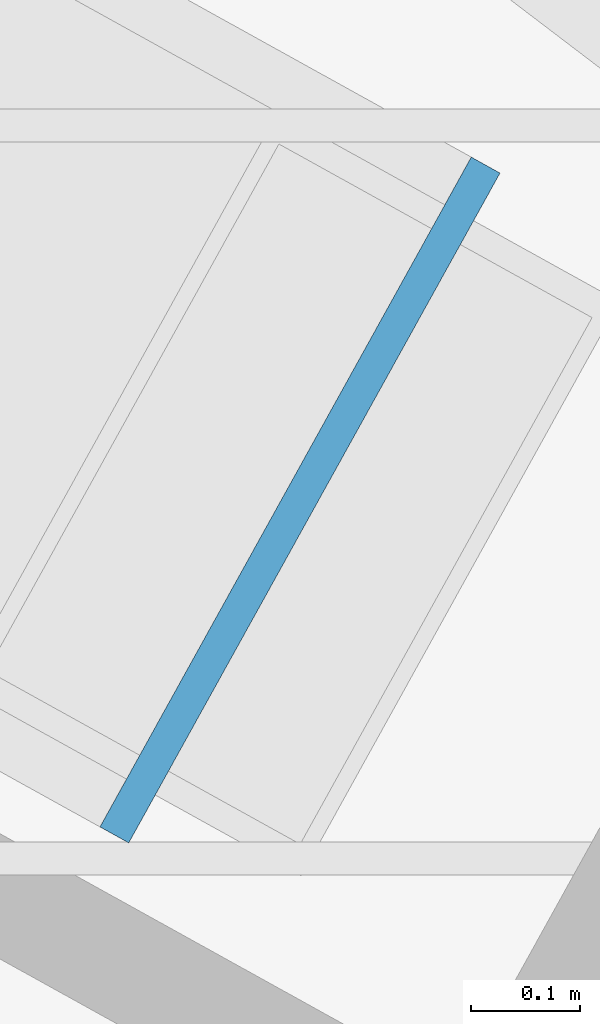
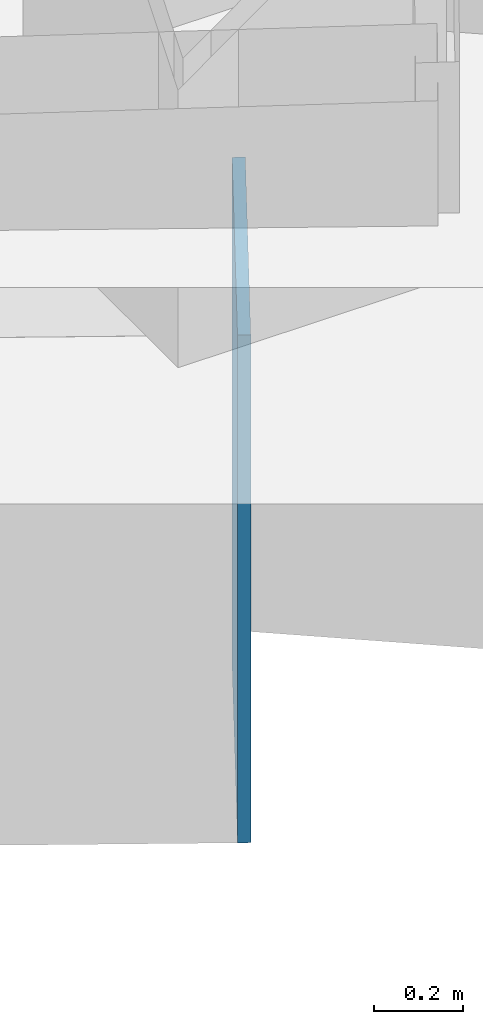
# One storey, part 15 of 26: 1 discrete accessory.
"""IFC4 building model written with IfcOpenShell, lengths in metres."""

import ifcopenshell
import ifcopenshell.guid

model = None  # the IFC model being written
_history = None  # IfcOwnerHistory: only IFC2X3 demands one
_inside = {}  # id of a spatial element -> (the spatial element, [elements in it])
_under = {}  # id of a project, library or spatial element -> (it, [spatial elements below it])
_declared = {}  # id of a project -> (the project, [libraries it declares])
_typed = {}  # id of a type object -> (the type object, [elements of that type])
_made_of = {}  # id of a material, layer set ... -> (it, [elements and type objects made of it])


def new_model(schema):
    """Start an empty IFC model of exactly this schema.

    Asked for "IFC4X3", IfcOpenShell would pick the latest addendum, in which some entities
    have other attributes; the version numbers below select the first issue.
    IFC2X3 requires an IfcOwnerHistory on every rooted entity: one is made here for all.
    """
    global model, _history
    if schema == "IFC4X3":
        model = ifcopenshell.file(schema_version=(4, 3, 0, 0))
    else:
        model = ifcopenshell.file(schema=schema)
    _inside.clear()
    _under.clear()
    _declared.clear()
    _typed.clear()
    _made_of.clear()
    _history = None
    if model.schema == "IFC2X3":
        org = make("IfcOrganization", Name="unknown")
        user = make(
            "IfcPersonAndOrganization",
            ThePerson=make("IfcPerson", FamilyName="unknown"),
            TheOrganization=org,
        )
        app = make(
            "IfcApplication",
            ApplicationDeveloper=org,
            Version="unknown",
            ApplicationFullName="unknown",
            ApplicationIdentifier="unknown",
        )
        _history = make(
            "IfcOwnerHistory",
            OwningUser=user,
            OwningApplication=app,
            ChangeAction="ADDED",
            CreationDate=0,
        )
    return model


def make(cls, **values):
    """One entity of the class cls with the attributes given. An attribute that is None is left unset."""
    return model.create_entity(
        cls, **{name: value for name, value in values.items() if value is not None}
    )


def rooted(cls, **values):
    """An entity with a GlobalId (a new one), such as an element, a storey or a relation."""
    return make(cls, GlobalId=ifcopenshell.guid.new(), OwnerHistory=_history, **values)


def si_unit(unit_type, name, prefix=None):
    """IfcSIUnit, for example si_unit("LENGTHUNIT", "METRE", prefix="MILLI")."""
    return make("IfcSIUnit", UnitType=unit_type, Prefix=prefix, Name=name)


def assignment(units):
    """IfcUnitAssignment: the units of a project."""
    return None if units is None else make("IfcUnitAssignment", Units=units)


def point(xyz):
    """IfcCartesianPoint."""
    return None if xyz is None else make("IfcCartesianPoint", Coordinates=xyz)


def direction(xyz):
    """IfcDirection."""
    return None if xyz is None else make("IfcDirection", DirectionRatios=xyz)


def frame(location, z_axis=None, x_axis=None):
    """IfcAxis2Placement3D, a coordinate frame: its origin and axes. An axis left out is left unset."""
    return make(
        "IfcAxis2Placement3D",
        Location=point(location),
        Axis=direction(z_axis),
        RefDirection=direction(x_axis),
    )


def frame_2d(location, x_axis=None):
    """IfcAxis2Placement2D, a coordinate frame in the plane: its origin and x axis."""
    return make(
        "IfcAxis2Placement2D", Location=point(location), RefDirection=direction(x_axis)
    )


def origin():
    """The frame at (0, 0, 0) with its axes left unset."""
    return frame((0.0, 0.0, 0.0))


def origin_2d():
    """The frame at (0, 0) in the plane with its x axis left unset."""
    return frame_2d((0.0, 0.0))


def place(relative_to, where):
    """IfcLocalPlacement: puts the frame where relative to a parent placement (None: the world)."""
    return make(
        "IfcLocalPlacement", PlacementRelTo=relative_to, RelativePlacement=where
    )


def context(
    kind, dimensions, precision=None, world=None, true_north=None, identifier=None
):
    """IfcGeometricRepresentationContext, for example the 3D "Model" context."""
    return make(
        "IfcGeometricRepresentationContext",
        ContextIdentifier=identifier,
        ContextType=kind,
        CoordinateSpaceDimension=dimensions,
        Precision=precision,
        WorldCoordinateSystem=world,
        TrueNorth=true_north,
    )


def subcontext(parent, identifier, kind, view, scale=None):
    """IfcGeometricRepresentationSubContext, for example "Body" below "Model"."""
    return make(
        "IfcGeometricRepresentationSubContext",
        ContextIdentifier=identifier,
        ContextType=kind,
        ParentContext=parent,
        TargetScale=scale,
        TargetView=view,
    )


def project(units=None, contexts=None):
    """IfcProject with its units and contexts."""
    return rooted(
        "IfcProject",
        Name="project",
        RepresentationContexts=contexts,
        UnitsInContext=assignment(units),
    )


def spatial(cls, under=None, at=None, **own):
    """A site, building, storey or space (cls), placed at a placement, below another one or the project."""
    s = rooted(cls, ObjectPlacement=at, **own)
    if under is not None:
        _under.setdefault(under.id(), (under, []))[1].append(s)
    return s


def profile(cls, at=None, kind="AREA", **sizes):
    """A parametric profile (cls). Its sizes go by their IFC names, for example OverallWidth=200.0."""
    return make(cls, ProfileType=kind, Position=at, **sizes)


def rectangle(**sizes):
    """IfcRectangleProfileDef."""
    return profile("IfcRectangleProfileDef", **sizes)


def extrude(swept, where, along, depth):
    """IfcExtrudedAreaSolid: the profile swept, set in the frame where, extruded along a direction by depth."""
    return make(
        "IfcExtrudedAreaSolid",
        SweptArea=swept,
        Position=where,
        ExtrudedDirection=direction(along),
        Depth=depth,
    )


def shape(context_of_items, identifier, shape_type, items):
    """IfcShapeRepresentation: the items that make up one representation, for example the "Body"."""
    return make(
        "IfcShapeRepresentation",
        ContextOfItems=context_of_items,
        RepresentationIdentifier=identifier,
        RepresentationType=shape_type,
        Items=items,
    )


def material(Name=None, Category=None):
    """IfcMaterial."""
    return make("IfcMaterial", Name=Name, Category=Category)


def made_of(thing, what):
    """Note that an element or type object is made of a material, layer set ...; save() writes the relation."""
    if what is not None:
        _made_of.setdefault(what.id(), (what, []))[1].append(thing)
    return thing


def type_object(cls, material=None, **own):
    """A type object (cls), such as IfcWallType, which elements share."""
    return made_of(rooted(cls, **own), material)


def element(
    cls,
    number,
    at=None,
    inside=None,
    cuts=None,
    type_object=None,
    material=None,
    context=None,
    identifier="Body",
    shape_type=None,
    held_by="IfcProductDefinitionShape",
    body=None,
    shapes=None,
    **own,
):
    """One element of the class cls, such as IfcWall. Its Tag is "e" and its number.

    at: its placement. inside: the storey or other place that contains it. cuts: it is an
    opening in that element (IfcRelVoidsElement). A single representation is given by context,
    identifier, shape_type and body (its items); several are given by shapes. held_by: the class
    of the entity that holds the representations. save() writes the other relations.
    """
    e = rooted(cls, Tag="e%d" % number, ObjectPlacement=at, **own)
    if body is not None:
        shapes = [shape(context, identifier, shape_type, body)]
    if shapes is not None:
        e.Representation = make(held_by, Representations=shapes)
    if inside is not None:
        _inside.setdefault(inside.id(), (inside, []))[1].append(e)
    if cuts is not None:
        rooted(
            "IfcRelVoidsElement", RelatingBuildingElement=cuts, RelatedOpeningElement=e
        )
    if type_object is not None:
        _typed.setdefault(type_object.id(), (type_object, []))[1].append(e)
    return made_of(e, material)


def aggregate(whole, parts):
    """IfcRelAggregates: a whole, such as a stair, and the parts it consists of."""
    return rooted("IfcRelAggregates", RelatingObject=whole, RelatedObjects=parts)


def save(model, path):
    """Write the relations noted so far, then the file.

    IfcRelAggregates (storeys below a building ...), IfcRelContainedInSpatialStructure (elements
    in a storey), IfcRelDefinesByType, IfcRelAssociatesMaterial and IfcRelDeclares: one each for
    every whole, place, type object, material and project.
    """
    for whole, parts in _under.values():
        aggregate(whole, parts)
    for where, things in _inside.values():
        rooted(
            "IfcRelContainedInSpatialStructure",
            RelatedElements=things,
            RelatingStructure=where,
        )
    for kind, things in _typed.values():
        rooted("IfcRelDefinesByType", RelatedObjects=things, RelatingType=kind)
    for what, things in _made_of.values():
        rooted("IfcRelAssociatesMaterial", RelatedObjects=things, RelatingMaterial=what)
    for by, libraries in _declared.values():
        rooted("IfcRelDeclares", RelatingContext=by, RelatedDefinitions=libraries)
    model.write(path)


model = new_model("IFC4")

# Units and contexts
model_context = context("Model", 3, precision=1e-05, world=origin(), true_north=direction((0.0, 1.0)))
body_context = subcontext(model_context, "Body", "Model", "MODEL_VIEW")
ifc_project = project(units=[si_unit("LENGTHUNIT", "METRE"), si_unit("AREAUNIT", "SQUARE_METRE"), si_unit("VOLUMEUNIT", "CUBIC_METRE"), si_unit("PLANEANGLEUNIT", "RADIAN"), si_unit("MASSUNIT", "GRAM", prefix="KILO")], contexts=[model_context])

# Site, building, storey
site_placement = place(None, origin())
site = spatial("IfcSite", under=ifc_project, at=site_placement, CompositionType="ELEMENT")
building_placement = place(site_placement, origin())
building = spatial("IfcBuilding", under=site, at=building_placement, Name="Tuul Gate Civic Tower", CompositionType="ELEMENT")
storey_placement = place(building_placement, frame((0.0, 0.0, 167.60009765625)))
storey = spatial("IfcBuildingStorey", under=building, at=storey_placement, Name="Plant and refuge floor 5", CompositionType="ELEMENT", Elevation=167.60009765625)

# Discrete accessory
ifc_material = material(Name="Steel S355", Category="steel")
discrete_accessory_type = type_object("IfcDiscreteAccessoryType", Name="End cap plate", PredefinedType="BRACKET", material=ifc_material)
discrete_accessory_placement = place(storey_placement, frame((45.7890625, -2.79833984375, -1.800048828125), z_axis=(0.0, 0.0, 1.0), x_axis=(-0.87462518169, 0.484799743765, 0.0)))
element("IfcDiscreteAccessory", 1, at=discrete_accessory_placement, inside=storey, type_object=discrete_accessory_type, Name="End cap plate", PredefinedType="BRACKET", context=body_context, shape_type="SweptSolid", body=[
    extrude(rectangle(XDim=0.030029296875, YDim=0.699951171875, at=origin_2d()), origin(), (0.0, 0.0, 1.0), 1.39990234375),
])

save(model, "model.ifc")
